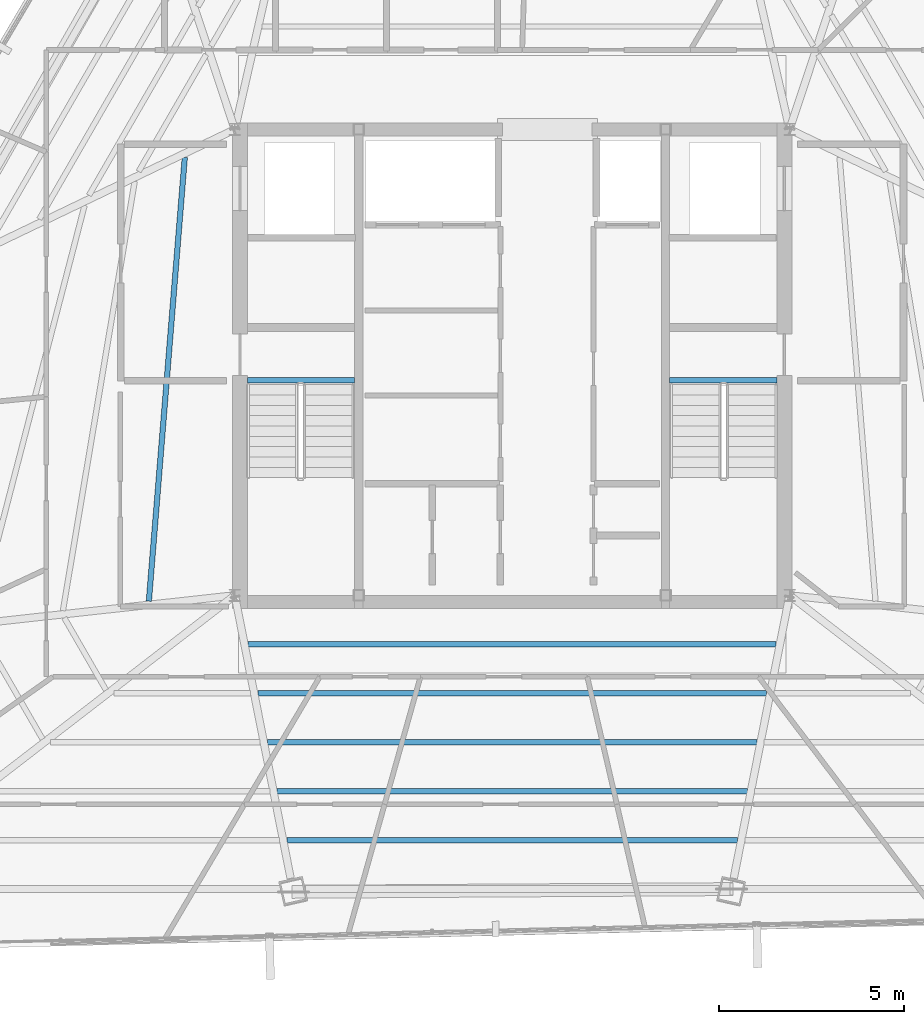
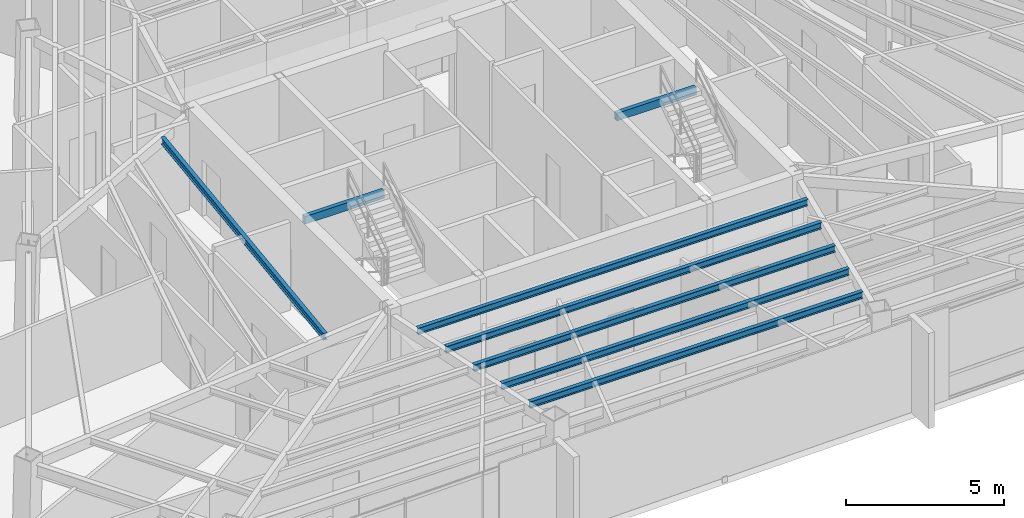
# One storey, part 14 of 44: 8 beams.
"""IFC4 building model written with IfcOpenShell, lengths in metres."""

from ifc_helpers import new_model, si_unit, direction, frame, origin, origin_2d, place, context, subcontext, project, spatial, hollow_rectangle, i_section, extrude, source, transform, mapped, material, material_profile, profile_set, type_object, type_shapes, element, save


model = new_model("IFC4")

# Units and contexts
model_context = context("Model", 3, precision=1e-05, world=origin(), true_north=direction((0.0, 1.0)))
body_context = subcontext(model_context, "Body", "Model", "MODEL_VIEW")
ifc_project = project(units=[si_unit("LENGTHUNIT", "METRE"), si_unit("AREAUNIT", "SQUARE_METRE"), si_unit("VOLUMEUNIT", "CUBIC_METRE"), si_unit("PLANEANGLEUNIT", "RADIAN"), si_unit("MASSUNIT", "GRAM", prefix="KILO")], contexts=[model_context])

# Site, building, storey
site_placement = place(None, origin())
site = spatial("IfcSite", under=ifc_project, at=site_placement, CompositionType="ELEMENT")
building_placement = place(site_placement, origin())
building = spatial("IfcBuilding", under=site, at=building_placement, Name="Caelisora Broadcast Tower", CompositionType="ELEMENT")
storey_placement = place(building_placement, frame((0.0, 0.0, 259.050048828125)))
storey = spatial("IfcBuildingStorey", under=building, at=storey_placement, Name="L68", CompositionType="ELEMENT", Elevation=259.050048828125)

# Beams
ifc_material_1 = material(Name="Steel Grade 350 (AS/NZS 1163 C350L0)", Category="steel")
ifc_material_profile_1 = material_profile(ifc_material_1, hollow_rectangle(XDim=0.14990234375, YDim=0.300048828125, WallThickness=0.010009765625, at=origin_2d()), Name="Steel Grade 350 (AS/NZS 1163 C350L0)")
ifc_profile_set_1 = profile_set([ifc_material_profile_1], Name="Steel Grade 350 (AS/NZS 1163 C350L0)")
beam_type_1 = type_object("IfcBeamType", Name="SB05", PredefinedType="JOIST", material=ifc_profile_set_1)
shared_shape_1 = source(origin(), body_context, "Body", "SweptSolid", [
    extrude(hollow_rectangle(XDim=0.14990234375, YDim=0.300048828125, WallThickness=0.010009765625, at=origin_2d()), origin(), (0.0, 0.0, 1.0), 2.89990234375),
])
type_shapes(beam_type_1, [shared_shape_1])
for number, where, z_axis, x_axis, name in (
    (1, (30.840087890625, 23.219970703125, 3.25), (1.0, 0.0, 0.0), (0.0, 1.0, 0.0), "L68 beam SB05"),
    (2, (42.260009765625, 23.219970703125, 3.25), (1.0, 0.0, 0.0), (0.0, 1.0, 0.0), "L68 beam SB05"),
):
    element("IfcBeam", number, at=place(storey_placement, frame(where, z_axis=z_axis, x_axis=x_axis)), inside=storey, type_object=beam_type_1, Name=name, PredefinedType="JOIST", context=body_context, shape_type="MappedRepresentation", body=[
        mapped(shared_shape_1, transform((0.0, 0.0, 0.0), scale=1.0)),
    ])
ifc_material_2 = material(Name="Steel Grade 350 (AS/NZS 3679.1)", Category="steel")
ifc_material_profile_2 = material_profile(ifc_material_2, i_section(OverallWidth=0.14599609375, OverallDepth=0.256103515625, WebThickness=0.00634765625, FlangeThickness=0.010986328125, at=origin_2d()), Name="Steel Grade 350 (AS/NZS 3679.1)")
ifc_profile_set_2 = profile_set([ifc_material_profile_2], Name="Steel Grade 350 (AS/NZS 3679.1)")
beam_type_2 = type_object("IfcBeamType", Name="SB04", PredefinedType="JOIST", material=ifc_profile_set_2)
shared_shape_2 = source(origin(), body_context, "Body", "SweptSolid", [
    extrude(i_section(OverallWidth=0.14599609375, OverallDepth=0.256103515625, WebThickness=0.00634765625, FlangeThickness=0.010986328125, at=origin_2d()), origin(), (0.0, 0.0, 1.0), 12.041015625),
])
beam_1_placement = place(storey_placement, frame((29.147216796875, 29.2431640625, 3.27197265625), z_axis=(-0.080697729961, -0.996738619889, 0.0), x_axis=(0.996738619889, -0.080697729961, 0.0)))
element("IfcBeam", 3, at=beam_1_placement, inside=storey, type_object=beam_type_2, Name="L68 beam SB04", PredefinedType="JOIST", context=body_context, shape_type="MappedRepresentation", body=[
    mapped(shared_shape_2, transform((0.0, 0.0, 0.0), scale=1.0)),
])
shared_shape_3 = source(origin(), body_context, "Body", "SweptSolid", [
    extrude(i_section(OverallWidth=0.14599609375, OverallDepth=0.256103515625, WebThickness=0.00634765625, FlangeThickness=0.010986328125, at=origin_2d()), origin(), (0.0, 0.0, 1.0), 14.27978515625),
])
beam_2_placement = place(storey_placement, frame((30.860107421875, 16.076171875, 3.27197265625), z_axis=(1.0, 0.0, 0.0), x_axis=(0.0, 1.0, 0.0)))
element("IfcBeam", 4, at=beam_2_placement, inside=storey, type_object=beam_type_2, Name="L68 beam SB04", PredefinedType="JOIST", context=body_context, shape_type="MappedRepresentation", body=[
    mapped(shared_shape_3, transform((0.0, 0.0, 0.0), scale=1.0)),
])
shared_shape_4 = source(origin(), body_context, "Body", "SweptSolid", [
    extrude(i_section(OverallWidth=0.14599609375, OverallDepth=0.256103515625, WebThickness=0.00634765625, FlangeThickness=0.010986328125, at=origin_2d()), origin(), (0.0, 0.0, 1.0), 13.75732421875),
])
beam_3_placement = place(storey_placement, frame((31.121337890625, 14.752197265625, 3.27197265625), z_axis=(1.0, 0.0, 0.0), x_axis=(0.0, 1.0, 0.0)))
element("IfcBeam", 5, at=beam_3_placement, inside=storey, type_object=beam_type_2, Name="L68 beam SB04", PredefinedType="JOIST", context=body_context, shape_type="MappedRepresentation", body=[
    mapped(shared_shape_4, transform((0.0, 0.0, 0.0), scale=1.0)),
])
shared_shape_5 = source(origin(), body_context, "Body", "SweptSolid", [
    extrude(i_section(OverallWidth=0.14599609375, OverallDepth=0.256103515625, WebThickness=0.00634765625, FlangeThickness=0.010986328125, at=origin_2d()), origin(), (0.0, 0.0, 1.0), 13.23486328125),
])
beam_4_placement = place(storey_placement, frame((31.382568359375, 13.42822265625, 3.27197265625), z_axis=(1.0, 0.0, 0.0), x_axis=(0.0, 1.0, 0.0)))
element("IfcBeam", 6, at=beam_4_placement, inside=storey, type_object=beam_type_2, Name="L68 beam SB04", PredefinedType="JOIST", context=body_context, shape_type="MappedRepresentation", body=[
    mapped(shared_shape_5, transform((0.0, 0.0, 0.0), scale=1.0)),
])
shared_shape_6 = source(origin(), body_context, "Body", "SweptSolid", [
    extrude(i_section(OverallWidth=0.14599609375, OverallDepth=0.256103515625, WebThickness=0.00634765625, FlangeThickness=0.010986328125, at=origin_2d()), origin(), (0.0, 0.0, 1.0), 12.712890625),
])
beam_5_placement = place(storey_placement, frame((31.6435546875, 12.1044921875, 3.27197265625), z_axis=(1.0, 0.0, 0.0), x_axis=(0.0, 1.0, 0.0)))
element("IfcBeam", 7, at=beam_5_placement, inside=storey, type_object=beam_type_2, Name="L68 beam SB04", PredefinedType="JOIST", context=body_context, shape_type="MappedRepresentation", body=[
    mapped(shared_shape_6, transform((0.0, 0.0, 0.0), scale=1.0)),
])
shared_shape_7 = source(origin(), body_context, "Body", "SweptSolid", [
    extrude(i_section(OverallWidth=0.14599609375, OverallDepth=0.256103515625, WebThickness=0.00634765625, FlangeThickness=0.010986328125, at=origin_2d()), origin(), (0.0, 0.0, 1.0), 12.1904296875),
])
type_shapes(beam_type_2, [shared_shape_2, shared_shape_3, shared_shape_4, shared_shape_5, shared_shape_6, shared_shape_7])
beam_6_placement = place(storey_placement, frame((31.90478515625, 10.780517578125, 3.27197265625), z_axis=(1.0, 0.0, 0.0), x_axis=(0.0, 1.0, 0.0)))
element("IfcBeam", 8, at=beam_6_placement, inside=storey, type_object=beam_type_2, Name="L68 beam SB04", PredefinedType="JOIST", context=body_context, shape_type="MappedRepresentation", body=[
    mapped(shared_shape_7, transform((0.0, 0.0, 0.0), scale=1.0)),
])

save(model, "model.ifc")
